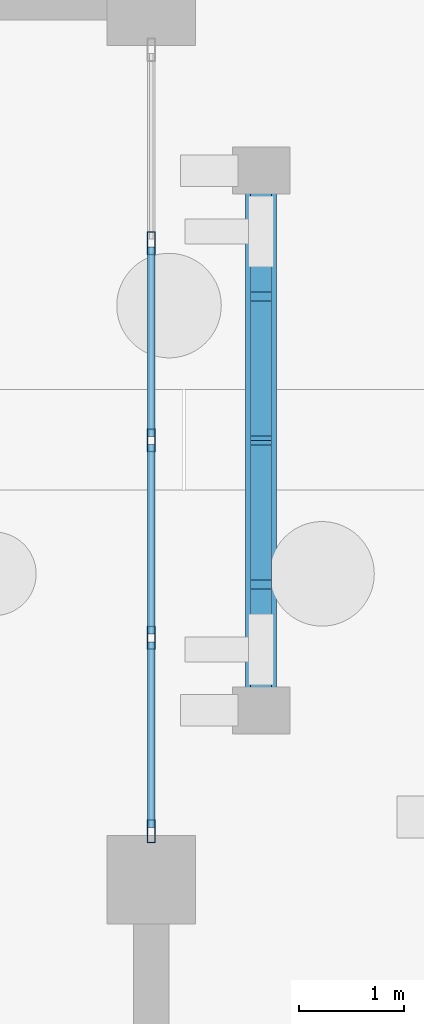
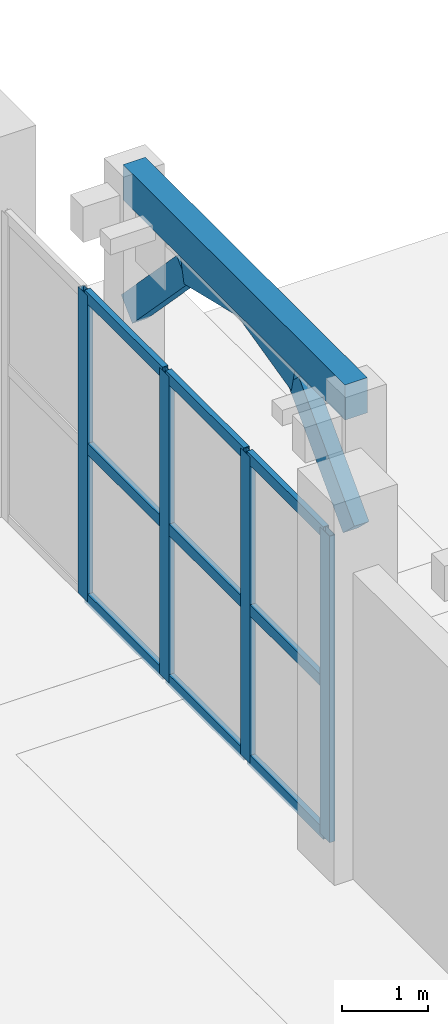
# One storey, part 36 of 98: 17 members, 1 beam, 1 element without a shape of its own.
"""IFC4 building model written with IfcOpenShell, lengths in metres."""

from ifc_helpers import new_model, si_unit, direction, frame, origin, origin_2d, place, context, subcontext, project, spatial, rectangle, hollow_rectangle, extrude, material, layer, layer_set, material_profile, profile_set, type_object, element, aggregate, save


model = new_model("IFC4")

# Units and contexts
model_context = context("Model", 3, precision=1e-05, world=origin(), true_north=direction((0.0, 1.0)))
body_context = subcontext(model_context, "Body", "Model", "MODEL_VIEW")
ifc_project = project(units=[si_unit("LENGTHUNIT", "METRE"), si_unit("AREAUNIT", "SQUARE_METRE"), si_unit("VOLUMEUNIT", "CUBIC_METRE"), si_unit("PLANEANGLEUNIT", "RADIAN"), si_unit("MASSUNIT", "GRAM", prefix="KILO")], contexts=[model_context])

# Site, building, storey
site_placement = place(None, origin())
site = spatial("IfcSite", under=ifc_project, at=site_placement, CompositionType="ELEMENT")
building_placement = place(site_placement, origin())
building = spatial("IfcBuilding", under=site, at=building_placement, Name="Xazarin Passage Department Store", CompositionType="ELEMENT")
storey_placement = place(building_placement, origin())
storey = spatial("IfcBuildingStorey", under=building, at=storey_placement, Name="L00", CompositionType="ELEMENT", Elevation=0.0)

# Curtain wall, members
ifc_material_1 = material(Name="Bronze anodised aluminium", Category="aluminium")
ifc_layer = layer(ifc_material_1, 0.179931640625)
ifc_layer_set = layer_set([ifc_layer], Name="Bronze anodised aluminium")
curtain_wall_type = type_object("IfcCurtainWallType", Name="ARC-CW-VIT1", PredefinedType="NOTDEFINED", material=ifc_layer_set)
curtain_wall_placement = place(storey_placement, origin())
curtain_wall = element("IfcCurtainWall", 1, at=curtain_wall_placement, inside=storey, type_object=curtain_wall_type, Name="L00 V1 Curtain Wall 007", PredefinedType="NOTDEFINED")
ifc_material_profile_1 = material_profile(ifc_material_1, hollow_rectangle(XDim=0.074951171875, YDim=0.219970703125, WallThickness=0.0048828125, at=origin_2d()), Name="ALU 75x220")
ifc_profile_set_1 = profile_set([ifc_material_profile_1], Name="Bronze anodised aluminium")
member_type_1 = type_object("IfcMemberType", Name="ARC-CWM-75x220", PredefinedType="MULLION", material=ifc_profile_set_1)
member_1_placement = place(storey_placement, frame((50.39990234375, 102.0625, 0.0), z_axis=(0.0, 0.0, 1.0), x_axis=(-1.0, 0.0, 0.0)))
member_1 = element("IfcMember", 2, at=member_1_placement, type_object=member_type_1, Name="CW1 mullion 1", PredefinedType="MULLION", context=body_context, shape_type="SweptSolid", body=[
    extrude(hollow_rectangle(XDim=0.074951171875, YDim=0.219970703125, WallThickness=0.0048828125, at=origin_2d()), origin(), (0.0, 0.0, 1.0), 4.35009765625),
])
member_2_placement = place(storey_placement, frame((50.39990234375, 103.91259765625, 0.0), z_axis=(0.0, 0.0, 1.0), x_axis=(-1.0, 0.0, 0.0)))
member_2 = element("IfcMember", 3, at=member_2_placement, type_object=member_type_1, Name="CW1 mullion 2", PredefinedType="MULLION", context=body_context, shape_type="SweptSolid", body=[
    extrude(hollow_rectangle(XDim=0.074951171875, YDim=0.219970703125, WallThickness=0.0048828125, at=origin_2d()), origin(), (0.0, 0.0, 1.0), 4.35009765625),
])
member_3_placement = place(storey_placement, frame((50.39990234375, 105.800048828125, 0.0), z_axis=(0.0, 0.0, 1.0), x_axis=(-1.0, 0.0, 0.0)))
member_3 = element("IfcMember", 4, at=member_3_placement, type_object=member_type_1, Name="CW1 mullion 3", PredefinedType="MULLION", context=body_context, shape_type="SweptSolid", body=[
    extrude(hollow_rectangle(XDim=0.074951171875, YDim=0.219970703125, WallThickness=0.0048828125, at=origin_2d()), origin(), (0.0, 0.0, 1.0), 4.35009765625),
])
member_4_placement = place(storey_placement, frame((50.39990234375, 107.6875, 0.0), z_axis=(0.0, 0.0, 1.0), x_axis=(-1.0, 0.0, 0.0)))
member_4 = element("IfcMember", 5, at=member_4_placement, type_object=member_type_1, Name="CW1 mullion 4", PredefinedType="MULLION", context=body_context, shape_type="SweptSolid", body=[
    extrude(hollow_rectangle(XDim=0.074951171875, YDim=0.219970703125, WallThickness=0.0048828125, at=origin_2d()), origin(), (0.0, 0.0, 1.0), 4.35009765625),
])
ifc_material_profile_2 = material_profile(ifc_material_1, hollow_rectangle(XDim=0.074951171875, YDim=0.159912109375, WallThickness=0.00439453125, at=origin_2d()), Name="ALU 75x160")
ifc_profile_set_2 = profile_set([ifc_material_profile_2], Name="Bronze anodised aluminium")
member_type_2 = type_object("IfcMemberType", Name="ARC-CWT-75x160", PredefinedType="USERDEFINED", material=ifc_profile_set_2)
member_5_placement = place(storey_placement, frame((50.39990234375, 102.10009765625, 0.03759765625), z_axis=(0.0, 1.0, 0.0), x_axis=(-1.0, 0.0, 0.0)))
member_5 = element("IfcMember", 6, at=member_5_placement, type_object=member_type_2, Name="CW1 transom 1.1", ObjectType="TRANSOM", PredefinedType="USERDEFINED", context=body_context, shape_type="SweptSolid", body=[
    extrude(hollow_rectangle(XDim=0.074951171875, YDim=0.159912109375, WallThickness=0.00439453125, at=origin_2d()), origin(), (0.0, 0.0, 1.0), 1.77490234375),
])
member_6_placement = place(storey_placement, frame((50.39990234375, 102.10009765625, 2.175048828125), z_axis=(0.0, 1.0, 0.0), x_axis=(-1.0, 0.0, 0.0)))
member_6 = element("IfcMember", 7, at=member_6_placement, type_object=member_type_2, Name="CW1 transom 1.2", ObjectType="TRANSOM", PredefinedType="USERDEFINED", context=body_context, shape_type="SweptSolid", body=[
    extrude(hollow_rectangle(XDim=0.074951171875, YDim=0.159912109375, WallThickness=0.00439453125, at=origin_2d()), origin(), (0.0, 0.0, 1.0), 1.77490234375),
])
member_7_placement = place(storey_placement, frame((50.39990234375, 102.10009765625, 4.3125), z_axis=(0.0, 1.0, 0.0), x_axis=(-1.0, 0.0, 0.0)))
member_7 = element("IfcMember", 8, at=member_7_placement, type_object=member_type_2, Name="CW1 transom 1.3", ObjectType="TRANSOM", PredefinedType="USERDEFINED", context=body_context, shape_type="SweptSolid", body=[
    extrude(hollow_rectangle(XDim=0.074951171875, YDim=0.159912109375, WallThickness=0.00439453125, at=origin_2d()), origin(), (0.0, 0.0, 1.0), 1.77490234375),
])
member_8_placement = place(storey_placement, frame((50.39990234375, 103.949951171875, 0.03759765625), z_axis=(0.0, 1.0, 0.0), x_axis=(-1.0, 0.0, 0.0)))
member_8 = element("IfcMember", 9, at=member_8_placement, type_object=member_type_2, Name="CW1 transom 2.1", ObjectType="TRANSOM", PredefinedType="USERDEFINED", context=body_context, shape_type="SweptSolid", body=[
    extrude(hollow_rectangle(XDim=0.074951171875, YDim=0.159912109375, WallThickness=0.00439453125, at=origin_2d()), origin(), (0.0, 0.0, 1.0), 1.8125),
])
member_9_placement = place(storey_placement, frame((50.39990234375, 103.949951171875, 2.175048828125), z_axis=(0.0, 1.0, 0.0), x_axis=(-1.0, 0.0, 0.0)))
member_9 = element("IfcMember", 10, at=member_9_placement, type_object=member_type_2, Name="CW1 transom 2.2", ObjectType="TRANSOM", PredefinedType="USERDEFINED", context=body_context, shape_type="SweptSolid", body=[
    extrude(hollow_rectangle(XDim=0.074951171875, YDim=0.159912109375, WallThickness=0.00439453125, at=origin_2d()), origin(), (0.0, 0.0, 1.0), 1.8125),
])
member_10_placement = place(storey_placement, frame((50.39990234375, 103.949951171875, 4.3125), z_axis=(0.0, 1.0, 0.0), x_axis=(-1.0, 0.0, 0.0)))
member_10 = element("IfcMember", 11, at=member_10_placement, type_object=member_type_2, Name="CW1 transom 2.3", ObjectType="TRANSOM", PredefinedType="USERDEFINED", context=body_context, shape_type="SweptSolid", body=[
    extrude(hollow_rectangle(XDim=0.074951171875, YDim=0.159912109375, WallThickness=0.00439453125, at=origin_2d()), origin(), (0.0, 0.0, 1.0), 1.8125),
])
member_11_placement = place(storey_placement, frame((50.39990234375, 105.83740234375, 0.03759765625), z_axis=(0.0, 1.0, 0.0), x_axis=(-1.0, 0.0, 0.0)))
member_11 = element("IfcMember", 12, at=member_11_placement, type_object=member_type_2, Name="CW1 transom 3.1", ObjectType="TRANSOM", PredefinedType="USERDEFINED", context=body_context, shape_type="SweptSolid", body=[
    extrude(hollow_rectangle(XDim=0.074951171875, YDim=0.159912109375, WallThickness=0.00439453125, at=origin_2d()), origin(), (0.0, 0.0, 1.0), 1.8125),
])
member_12_placement = place(storey_placement, frame((50.39990234375, 105.83740234375, 2.175048828125), z_axis=(0.0, 1.0, 0.0), x_axis=(-1.0, 0.0, 0.0)))
member_12 = element("IfcMember", 13, at=member_12_placement, type_object=member_type_2, Name="CW1 transom 3.2", ObjectType="TRANSOM", PredefinedType="USERDEFINED", context=body_context, shape_type="SweptSolid", body=[
    extrude(hollow_rectangle(XDim=0.074951171875, YDim=0.159912109375, WallThickness=0.00439453125, at=origin_2d()), origin(), (0.0, 0.0, 1.0), 1.8125),
])
member_13_placement = place(storey_placement, frame((50.39990234375, 105.83740234375, 4.3125), z_axis=(0.0, 1.0, 0.0), x_axis=(-1.0, 0.0, 0.0)))
member_13 = element("IfcMember", 14, at=member_13_placement, type_object=member_type_2, Name="CW1 transom 3.3", ObjectType="TRANSOM", PredefinedType="USERDEFINED", context=body_context, shape_type="SweptSolid", body=[
    extrude(hollow_rectangle(XDim=0.074951171875, YDim=0.159912109375, WallThickness=0.00439453125, at=origin_2d()), origin(), (0.0, 0.0, 1.0), 1.8125),
])
aggregate(curtain_wall, [member_1, member_2, member_3, member_4, member_5, member_6, member_7, member_8, member_9, member_10, member_11, member_12, member_13])

# Beam
ifc_material_2 = material(Name="Concrete C35/45", Category="concrete")
ifc_material_profile_3 = material_profile(ifc_material_2, rectangle(XDim=0.300048828125, YDim=0.5, at=origin_2d()), Name="RC 300x500")
ifc_profile_set_3 = profile_set([ifc_material_profile_3], Name="Concrete C35/45")
beam_type = type_object("IfcBeamType", Name="STR-BM-LN300x500", PredefinedType="LINTEL", material=ifc_profile_set_3)
beam_placement = place(storey_placement, frame((51.449951171875, 103.219970703125, 5.14990234375), z_axis=(0.0, 1.0, 0.0), x_axis=(-1.0, 0.0, 0.0)))
element("IfcBeam", 15, at=beam_placement, inside=storey, type_object=beam_type, Name="L00 V1 Colonnade Spandrel Beam 016", PredefinedType="LINTEL", context=body_context, shape_type="SweptSolid", body=[
    extrude(rectangle(XDim=0.300048828125, YDim=0.5, at=origin_2d()), origin(), (0.0, 0.0, 1.0), 5.159912109375),
])

# Members
ifc_material_3 = material(Name="Concrete C40/50", Category="concrete")
ifc_material_profile_4 = material_profile(ifc_material_3, rectangle(XDim=0.199951171875, YDim=0.360107421875, at=origin_2d()), Name="RC 200x360")
ifc_profile_set_4 = profile_set([ifc_material_profile_4], Name="Concrete C40/50")
member_type_3 = type_object("IfcMemberType", Name="STR-MEM-ARC360", PredefinedType="CHORD", material=ifc_profile_set_4)
member_14_placement = place(storey_placement, frame((51.449951171875, 103.219970703125, 3.330078125), z_axis=(0.0, 0.693460080602, 0.720495049679), x_axis=(-1.0, 0.0, 0.0)))
element("IfcMember", 16, at=member_14_placement, inside=storey, type_object=member_type_3, Name="L00 V1 Pierced Lattice Curved Arch 016.1", PredefinedType="CHORD", context=body_context, shape_type="SweptSolid", body=[
    extrude(rectangle(XDim=0.199951171875, YDim=0.360107421875, at=origin_2d()), origin(), (0.0, 0.0, 1.0), 1.8603515625),
])
for number, where, z_axis, x_axis, name in (
    (17, (51.449951171875, 104.510009765625, 4.67041015625), (0.0, 0.972393983317, 0.233345111818), (-1.0, 0.0, 0.0), "L00 V1 Pierced Lattice Curved Arch 016.2"),
    (18, (51.449951171875, 105.800048828125, 4.97998046875), (0.0, 0.972393983317, -0.233345111818), (-1.0, 0.0, 0.0), "L00 V1 Pierced Lattice Curved Arch 016.3"),
):
    element("IfcMember", number, at=place(storey_placement, frame(where, z_axis=z_axis, x_axis=x_axis)), inside=storey, type_object=member_type_3, Name=name, PredefinedType="CHORD", context=body_context, shape_type="SweptSolid", body=[
        extrude(rectangle(XDim=0.199951171875, YDim=0.360107421875, at=origin_2d()), origin(), (0.0, 0.0, 1.0), 1.32666015625),
    ])
member_15_placement = place(storey_placement, frame((51.449951171875, 107.090087890625, 4.67041015625), z_axis=(0.0, 0.693391944082, -0.720560623322), x_axis=(-1.0, 0.0, 0.0)))
element("IfcMember", 19, at=member_15_placement, inside=storey, type_object=member_type_3, Name="L00 V1 Pierced Lattice Curved Arch 016.4", PredefinedType="CHORD", context=body_context, shape_type="SweptSolid", body=[
    extrude(rectangle(XDim=0.199951171875, YDim=0.360107421875, at=origin_2d()), origin(), (0.0, 0.0, 1.0), 1.860107421875),
])

save(model, "model.ifc")
